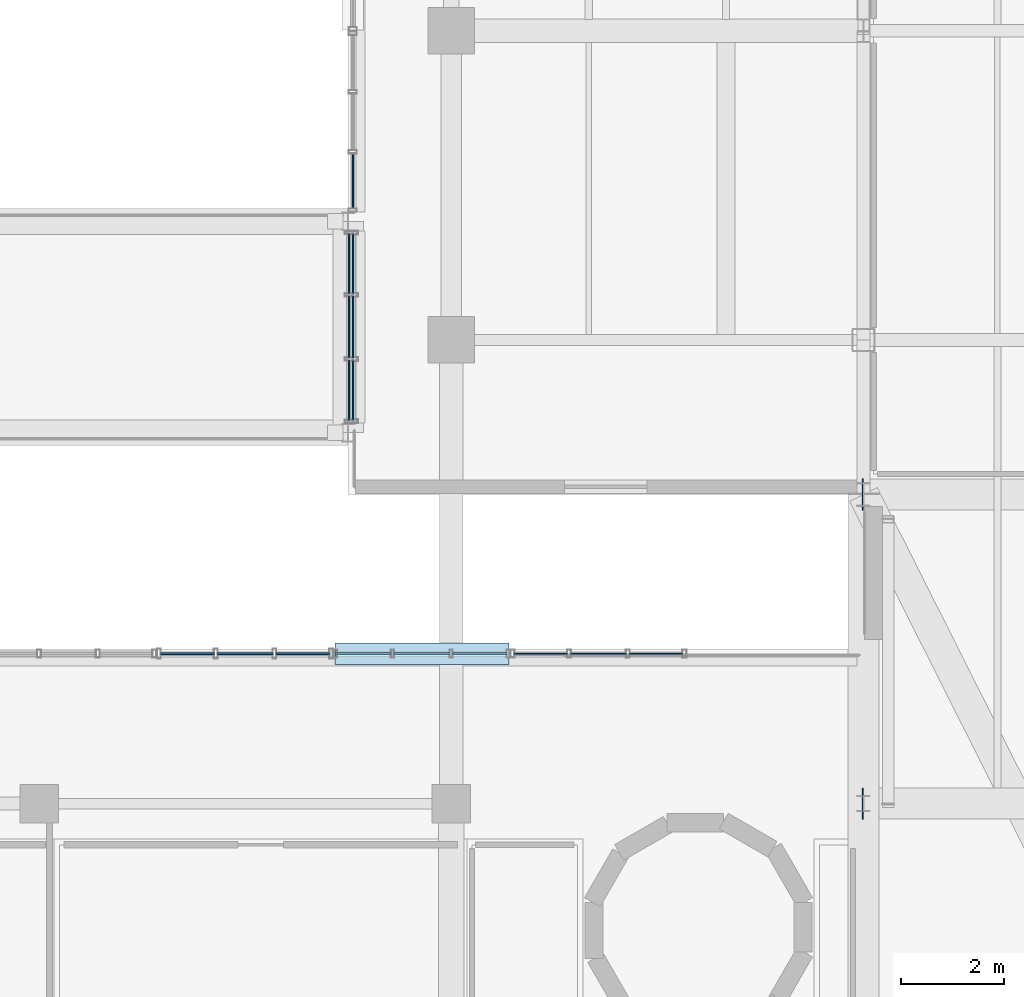
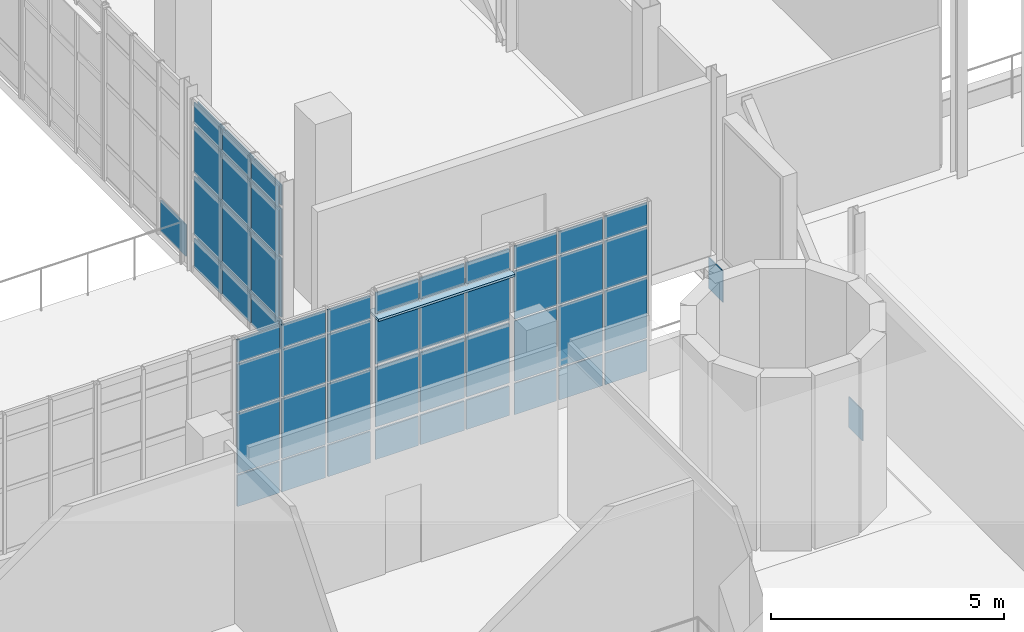
# One storey, part 63 of 100: 64 plates, 6 elements without a shape of their own.
"""IFC4 building model written with IfcOpenShell, lengths in metres."""

from ifc_helpers import new_model, si_unit, derived_unit, direction, frame, origin, origin_2d, place, context, subcontext, project, spatial, rectangle, extrude, material, layer, layer_set, type_object, element, aggregate, save


model = new_model("IFC4")

# Units and contexts
model_context = context("Model", 3, precision=1e-05, world=origin(), true_north=direction((0.0, 1.0)))
body_context = subcontext(model_context, "Body", "Model", "MODEL_VIEW")
ifc_project = project(units=[si_unit("LENGTHUNIT", "METRE"), si_unit("AREAUNIT", "SQUARE_METRE"), si_unit("VOLUMEUNIT", "CUBIC_METRE"), si_unit("PLANEANGLEUNIT", "RADIAN"), si_unit("MASSUNIT", "GRAM", prefix="KILO"), derived_unit("THERMALTRANSMITTANCEUNIT", [(si_unit("POWERUNIT", "WATT"), 1), (si_unit("LENGTHUNIT", "METRE"), -2), (si_unit("THERMODYNAMICTEMPERATUREUNIT", "KELVIN"), -1)])], contexts=[model_context])

# Site, building, storey
site_placement = place(None, origin())
site = spatial("IfcSite", under=ifc_project, at=site_placement, CompositionType="ELEMENT")
building_placement = place(site_placement, origin())
building = spatial("IfcBuilding", under=site, at=building_placement, Name="Nallur Shell Playhouse", CompositionType="ELEMENT")
storey_placement = place(building_placement, frame((0.0, 0.0, 10.199951171875)))
storey = spatial("IfcBuildingStorey", under=building, at=storey_placement, Name="L03", CompositionType="ELEMENT", Elevation=10.199951171875)

# Plates
ifc_material_1 = material(Name="Steel E350", Category="steel")
ifc_layer_1 = layer(ifc_material_1, 0.02001953125)
ifc_layer_set_1 = layer_set([ifc_layer_1], Name="Steel E350")
plate_type_1 = type_object("IfcPlateType", Name="PT-ENDCAP-20", PredefinedType="SHEET", material=ifc_layer_set_1)
plate_1_placement = place(storey_placement, frame((63.989990234375, 41.0, -1.06005859375), z_axis=(0.0, 0.0, 1.0), x_axis=(1.0, 0.0, 0.0)))
element("IfcPlate", 1, at=plate_1_placement, inside=storey, type_object=plate_type_1, Name="Hollow end cap EC-TT-2-TC0", PredefinedType="SHEET", context=body_context, shape_type="SweptSolid", body=[
    extrude(rectangle(XDim=0.02001953125, YDim=0.60009765625, at=origin_2d()), origin(), (0.0, 0.0, 1.0), 0.800048828125),
])
plate_2_placement = place(storey_placement, frame((63.989990234375, 47.0, -1.06982421875), z_axis=(0.0, 0.0, 1.0), x_axis=(1.0, 0.0, 0.0)))
element("IfcPlate", 2, at=plate_2_placement, inside=storey, type_object=plate_type_1, Name="Hollow end cap EC-GB-L03-NA", PredefinedType="SHEET", context=body_context, shape_type="SweptSolid", body=[
    extrude(rectangle(XDim=0.02001953125, YDim=0.6201171875, at=origin_2d()), origin(), (0.0, 0.0, 1.0), 0.820068359375),
])

# Curtain wall, plates
ifc_material_2 = material(Name="Anodised Aluminium Double-Glazed Facade System", Category="aluminium")
ifc_layer_2 = layer(ifc_material_2, 0.1640625)
ifc_layer_set_2 = layer_set([ifc_layer_2], Name="Anodised Aluminium Double-Glazed Facade System")
curtain_wall_type_1 = type_object("IfcCurtainWallType", Name="CW-UNIT-01", PredefinedType="NOTDEFINED", material=ifc_layer_set_2)
curtain_wall_1_placement = place(storey_placement, origin())
curtain_wall_1 = element("IfcCurtainWall", 3, at=curtain_wall_1_placement, inside=storey, type_object=curtain_wall_type_1, Name="Unitised curtain wall CW-065 (L03)", PredefinedType="NOTDEFINED")
ifc_material_3 = material(Name="Solar-Control Low-E Laminated Insulating Glass", Category="glass")
ifc_layer_3 = layer(ifc_material_3, 0.02587890625)
ifc_layer_set_3 = layer_set([ifc_layer_3], Name="Solar-Control Low-E Laminated Insulating Glass")
plate_type_2 = type_object("IfcPlateType", Name="PT-GLZ-01", PredefinedType="CURTAIN_PANEL", material=ifc_layer_set_3)
plate_3_placement = place(storey_placement, frame((57.737548828125, 43.909912109375, 0.05712890625), z_axis=(0.0, 0.0, 1.0), x_axis=(1.0, 0.0, 0.0)))
plate_3 = element("IfcPlate", 4, at=plate_3_placement, type_object=plate_type_2, Name="CW-01 panel 1.1", PredefinedType="CURTAIN_PANEL", context=body_context, shape_type="SweptSolid", body=[
    extrude(rectangle(XDim=1.035400390625, YDim=0.02587890625, at=origin_2d()), origin(), (0.0, 0.0, 1.0), 0.818603515625),
])
plate_4_placement = place(storey_placement, frame((57.737548828125, 43.909912109375, 0.924560546875), z_axis=(0.0, 0.0, 1.0), x_axis=(1.0, 0.0, 0.0)))
plate_4 = element("IfcPlate", 5, at=plate_4_placement, type_object=plate_type_2, Name="CW-01 panel 1.2", PredefinedType="CURTAIN_PANEL", context=body_context, shape_type="SweptSolid", body=[
    extrude(rectangle(XDim=1.035400390625, YDim=0.02587890625, at=origin_2d()), origin(), (0.0, 0.0, 1.0), 1.58203125),
])
plate_5_placement = place(storey_placement, frame((57.737548828125, 43.909912109375, 2.5556640625), z_axis=(0.0, 0.0, 1.0), x_axis=(1.0, 0.0, 0.0)))
plate_5 = element("IfcPlate", 6, at=plate_5_placement, type_object=plate_type_2, Name="CW-01 panel 1.3", PredefinedType="CURTAIN_PANEL", context=body_context, shape_type="SweptSolid", body=[
    extrude(rectangle(XDim=1.035400390625, YDim=0.02587890625, at=origin_2d()), origin(), (0.0, 0.0, 1.0), 1.260009765625),
])
plate_6_placement = place(storey_placement, frame((57.737548828125, 43.909912109375, 3.86474609375), z_axis=(0.0, 0.0, 1.0), x_axis=(1.0, 0.0, 0.0)))
plate_6 = element("IfcPlate", 7, at=plate_6_placement, type_object=plate_type_2, Name="CW-01 panel 1.4", PredefinedType="CURTAIN_PANEL", context=body_context, shape_type="SweptSolid", body=[
    extrude(rectangle(XDim=1.035400390625, YDim=0.02587890625, at=origin_2d()), origin(), (0.0, 0.0, 1.0), 0.598388671875),
])
plate_7_placement = place(storey_placement, frame((58.857177734375, 43.909912109375, 0.05712890625), z_axis=(0.0, 0.0, 1.0), x_axis=(1.0, 0.0, 0.0)))
plate_7 = element("IfcPlate", 8, at=plate_7_placement, type_object=plate_type_2, Name="CW-01 panel 2.1", PredefinedType="CURTAIN_PANEL", context=body_context, shape_type="SweptSolid", body=[
    extrude(rectangle(XDim=1.075439453125, YDim=0.02587890625, at=origin_2d()), origin(), (0.0, 0.0, 1.0), 0.818603515625),
])
plate_8_placement = place(storey_placement, frame((58.857177734375, 43.909912109375, 0.924560546875), z_axis=(0.0, 0.0, 1.0), x_axis=(1.0, 0.0, 0.0)))
plate_8 = element("IfcPlate", 9, at=plate_8_placement, type_object=plate_type_2, Name="CW-01 panel 2.2", PredefinedType="CURTAIN_PANEL", context=body_context, shape_type="SweptSolid", body=[
    extrude(rectangle(XDim=1.075439453125, YDim=0.02587890625, at=origin_2d()), origin(), (0.0, 0.0, 1.0), 1.58203125),
])
plate_9_placement = place(storey_placement, frame((58.857177734375, 43.909912109375, 2.5556640625), z_axis=(0.0, 0.0, 1.0), x_axis=(1.0, 0.0, 0.0)))
plate_9 = element("IfcPlate", 10, at=plate_9_placement, type_object=plate_type_2, Name="CW-01 panel 2.3", PredefinedType="CURTAIN_PANEL", context=body_context, shape_type="SweptSolid", body=[
    extrude(rectangle(XDim=1.075439453125, YDim=0.02587890625, at=origin_2d()), origin(), (0.0, 0.0, 1.0), 1.260009765625),
])
plate_10_placement = place(storey_placement, frame((58.857177734375, 43.909912109375, 3.86474609375), z_axis=(0.0, 0.0, 1.0), x_axis=(1.0, 0.0, 0.0)))
plate_10 = element("IfcPlate", 11, at=plate_10_placement, type_object=plate_type_2, Name="CW-01 panel 2.4", PredefinedType="CURTAIN_PANEL", context=body_context, shape_type="SweptSolid", body=[
    extrude(rectangle(XDim=1.075439453125, YDim=0.02587890625, at=origin_2d()), origin(), (0.0, 0.0, 1.0), 0.598388671875),
])
plate_11_placement = place(storey_placement, frame((59.9765625, 43.909912109375, 0.05712890625), z_axis=(0.0, 0.0, 1.0), x_axis=(1.0, 0.0, 0.0)))
plate_11 = element("IfcPlate", 12, at=plate_11_placement, type_object=plate_type_2, Name="CW-01 panel 3.1", PredefinedType="CURTAIN_PANEL", context=body_context, shape_type="SweptSolid", body=[
    extrude(rectangle(XDim=1.035400390625, YDim=0.02587890625, at=origin_2d()), origin(), (0.0, 0.0, 1.0), 0.818603515625),
])
plate_12_placement = place(storey_placement, frame((59.9765625, 43.909912109375, 0.924560546875), z_axis=(0.0, 0.0, 1.0), x_axis=(1.0, 0.0, 0.0)))
plate_12 = element("IfcPlate", 13, at=plate_12_placement, type_object=plate_type_2, Name="CW-01 panel 3.2", PredefinedType="CURTAIN_PANEL", context=body_context, shape_type="SweptSolid", body=[
    extrude(rectangle(XDim=1.035400390625, YDim=0.02587890625, at=origin_2d()), origin(), (0.0, 0.0, 1.0), 1.58203125),
])
plate_13_placement = place(storey_placement, frame((59.9765625, 43.909912109375, 2.5556640625), z_axis=(0.0, 0.0, 1.0), x_axis=(1.0, 0.0, 0.0)))
plate_13 = element("IfcPlate", 14, at=plate_13_placement, type_object=plate_type_2, Name="CW-01 panel 3.3", PredefinedType="CURTAIN_PANEL", context=body_context, shape_type="SweptSolid", body=[
    extrude(rectangle(XDim=1.035400390625, YDim=0.02587890625, at=origin_2d()), origin(), (0.0, 0.0, 1.0), 1.260009765625),
])
plate_14_placement = place(storey_placement, frame((59.9765625, 43.909912109375, 3.86474609375), z_axis=(0.0, 0.0, 1.0), x_axis=(1.0, 0.0, 0.0)))
plate_14 = element("IfcPlate", 15, at=plate_14_placement, type_object=plate_type_2, Name="CW-01 panel 3.4", PredefinedType="CURTAIN_PANEL", context=body_context, shape_type="SweptSolid", body=[
    extrude(rectangle(XDim=1.035400390625, YDim=0.02587890625, at=origin_2d()), origin(), (0.0, 0.0, 1.0), 0.598388671875),
])
aggregate(curtain_wall_1, [plate_3, plate_4, plate_5, plate_6, plate_7, plate_8, plate_9, plate_10, plate_11, plate_12, plate_13, plate_14])

ifc_layer_4 = layer(ifc_material_2, 0.16796875)
ifc_layer_set_4 = layer_set([ifc_layer_4], Name="Anodised Aluminium Double-Glazed Facade System")
curtain_wall_type_2 = type_object("IfcCurtainWallType", Name="CW-UNIT-26", PredefinedType="NOTDEFINED", material=ifc_layer_set_4)
curtain_wall_2_placement = place(storey_placement, origin())
curtain_wall_2 = element("IfcCurtainWall", 16, at=curtain_wall_2_placement, inside=storey, type_object=curtain_wall_type_2, Name="Unitised curtain wall CW-058 (L03)", PredefinedType="NOTDEFINED")
ifc_layer_5 = layer(ifc_material_3, 0.028076171875)
ifc_layer_set_5 = layer_set([ifc_layer_5], Name="Solar-Control Low-E Laminated Insulating Glass")
plate_type_3 = type_object("IfcPlateType", Name="PT-GLZ-02", PredefinedType="CURTAIN_PANEL", material=ifc_layer_set_5)
plate_15_placement = place(storey_placement, frame((54.014892578125, 51.478515625, 0.092041015625), z_axis=(0.0, 0.0, 1.0), x_axis=(0.0, -1.0, 0.0)))
plate_15 = element("IfcPlate", 17, at=plate_15_placement, type_object=plate_type_3, Name="CW-26 panel 1.1", PredefinedType="CURTAIN_PANEL", context=body_context, shape_type="SweptSolid", body=[
    extrude(rectangle(XDim=1.1630859375, YDim=0.028076171875, at=origin_2d()), origin(), (0.0, 0.0, 1.0), 0.76611328125),
])
plate_16_placement = place(storey_placement, frame((54.014892578125, 51.478515625, 0.94189453125), z_axis=(0.0, 0.0, 1.0), x_axis=(0.0, -1.0, 0.0)))
plate_16 = element("IfcPlate", 18, at=plate_16_placement, type_object=plate_type_3, Name="CW-26 panel 1.2", PredefinedType="CURTAIN_PANEL", context=body_context, shape_type="SweptSolid", body=[
    extrude(rectangle(XDim=1.1630859375, YDim=0.028076171875, at=origin_2d()), origin(), (0.0, 0.0, 1.0), 1.535888671875),
])
plate_17_placement = place(storey_placement, frame((54.014892578125, 51.478515625, 2.56201171875), z_axis=(0.0, 0.0, 1.0), x_axis=(0.0, -1.0, 0.0)))
plate_17 = element("IfcPlate", 19, at=plate_17_placement, type_object=plate_type_3, Name="CW-26 panel 1.3", PredefinedType="CURTAIN_PANEL", context=body_context, shape_type="SweptSolid", body=[
    extrude(rectangle(XDim=1.1630859375, YDim=0.028076171875, at=origin_2d()), origin(), (0.0, 0.0, 1.0), 1.216064453125),
])
plate_18_placement = place(storey_placement, frame((54.014892578125, 51.478515625, 3.862060546875), z_axis=(0.0, 0.0, 1.0), x_axis=(0.0, -1.0, 0.0)))
plate_18 = element("IfcPlate", 20, at=plate_18_placement, type_object=plate_type_3, Name="CW-26 panel 1.4", PredefinedType="CURTAIN_PANEL", context=body_context, shape_type="SweptSolid", body=[
    extrude(rectangle(XDim=1.1630859375, YDim=0.028076171875, at=origin_2d()), origin(), (0.0, 0.0, 1.0), 0.5458984375),
])
plate_19_placement = place(storey_placement, frame((54.014892578125, 50.25, 0.092041015625), z_axis=(0.0, 0.0, 1.0), x_axis=(0.0, -1.0, 0.0)))
plate_19 = element("IfcPlate", 21, at=plate_19_placement, type_object=plate_type_3, Name="CW-26 panel 2.1", PredefinedType="CURTAIN_PANEL", context=body_context, shape_type="SweptSolid", body=[
    extrude(rectangle(XDim=1.195556640625, YDim=0.028076171875, at=origin_2d()), origin(), (0.0, 0.0, 1.0), 0.76611328125),
])
plate_20_placement = place(storey_placement, frame((54.014892578125, 50.25, 0.94189453125), z_axis=(0.0, 0.0, 1.0), x_axis=(0.0, -1.0, 0.0)))
plate_20 = element("IfcPlate", 22, at=plate_20_placement, type_object=plate_type_3, Name="CW-26 panel 2.2", PredefinedType="CURTAIN_PANEL", context=body_context, shape_type="SweptSolid", body=[
    extrude(rectangle(XDim=1.195556640625, YDim=0.028076171875, at=origin_2d()), origin(), (0.0, 0.0, 1.0), 1.535888671875),
])
plate_21_placement = place(storey_placement, frame((54.014892578125, 50.25, 2.56201171875), z_axis=(0.0, 0.0, 1.0), x_axis=(0.0, -1.0, 0.0)))
plate_21 = element("IfcPlate", 23, at=plate_21_placement, type_object=plate_type_3, Name="CW-26 panel 2.3", PredefinedType="CURTAIN_PANEL", context=body_context, shape_type="SweptSolid", body=[
    extrude(rectangle(XDim=1.195556640625, YDim=0.028076171875, at=origin_2d()), origin(), (0.0, 0.0, 1.0), 1.216064453125),
])
plate_22_placement = place(storey_placement, frame((54.014892578125, 50.25, 3.862060546875), z_axis=(0.0, 0.0, 1.0), x_axis=(0.0, -1.0, 0.0)))
plate_22 = element("IfcPlate", 24, at=plate_22_placement, type_object=plate_type_3, Name="CW-26 panel 2.4", PredefinedType="CURTAIN_PANEL", context=body_context, shape_type="SweptSolid", body=[
    extrude(rectangle(XDim=1.195556640625, YDim=0.028076171875, at=origin_2d()), origin(), (0.0, 0.0, 1.0), 0.5458984375),
])
plate_23_placement = place(storey_placement, frame((54.014892578125, 49.021484375, 0.092041015625), z_axis=(0.0, 0.0, 1.0), x_axis=(0.0, -1.0, 0.0)))
plate_23 = element("IfcPlate", 25, at=plate_23_placement, type_object=plate_type_3, Name="CW-26 panel 3.1", PredefinedType="CURTAIN_PANEL", context=body_context, shape_type="SweptSolid", body=[
    extrude(rectangle(XDim=1.1630859375, YDim=0.028076171875, at=origin_2d()), origin(), (0.0, 0.0, 1.0), 0.76611328125),
])
plate_24_placement = place(storey_placement, frame((54.014892578125, 49.021484375, 0.94189453125), z_axis=(0.0, 0.0, 1.0), x_axis=(0.0, -1.0, 0.0)))
plate_24 = element("IfcPlate", 26, at=plate_24_placement, type_object=plate_type_3, Name="CW-26 panel 3.2", PredefinedType="CURTAIN_PANEL", context=body_context, shape_type="SweptSolid", body=[
    extrude(rectangle(XDim=1.1630859375, YDim=0.028076171875, at=origin_2d()), origin(), (0.0, 0.0, 1.0), 1.535888671875),
])
plate_25_placement = place(storey_placement, frame((54.014892578125, 49.021484375, 2.56201171875), z_axis=(0.0, 0.0, 1.0), x_axis=(0.0, -1.0, 0.0)))
plate_25 = element("IfcPlate", 27, at=plate_25_placement, type_object=plate_type_3, Name="CW-26 panel 3.3", PredefinedType="CURTAIN_PANEL", context=body_context, shape_type="SweptSolid", body=[
    extrude(rectangle(XDim=1.1630859375, YDim=0.028076171875, at=origin_2d()), origin(), (0.0, 0.0, 1.0), 1.216064453125),
])
plate_26_placement = place(storey_placement, frame((54.014892578125, 49.021484375, 3.862060546875), z_axis=(0.0, 0.0, 1.0), x_axis=(0.0, -1.0, 0.0)))
plate_26 = element("IfcPlate", 28, at=plate_26_placement, type_object=plate_type_3, Name="CW-26 panel 3.4", PredefinedType="CURTAIN_PANEL", context=body_context, shape_type="SweptSolid", body=[
    extrude(rectangle(XDim=1.1630859375, YDim=0.028076171875, at=origin_2d()), origin(), (0.0, 0.0, 1.0), 0.5458984375),
])
aggregate(curtain_wall_2, [plate_15, plate_16, plate_17, plate_18, plate_19, plate_20, plate_21, plate_22, plate_23, plate_24, plate_25, plate_26])

ifc_layer_6 = layer(ifc_material_2, 0.16796875)
ifc_layer_set_6 = layer_set([ifc_layer_6], Name="Anodised Aluminium Double-Glazed Facade System")
curtain_wall_type_3 = type_object("IfcCurtainWallType", Name="CW-UNIT-02", PredefinedType="NOTDEFINED", material=ifc_layer_set_6)
curtain_wall_3_placement = place(storey_placement, origin())
curtain_wall_3 = element("IfcCurtainWall", 29, at=curtain_wall_3_placement, inside=storey, type_object=curtain_wall_type_3, Name="Unitised curtain wall CW-066 (L03)", PredefinedType="NOTDEFINED")
plate_27_placement = place(storey_placement, frame((54.090087890625, 49.024169921875, 0.092041015625), z_axis=(0.0, 0.0, 1.0), x_axis=(0.0, 1.0, 0.0)))
plate_27 = element("IfcPlate", 30, at=plate_27_placement, type_object=plate_type_3, Name="CW-02 panel 1.1", PredefinedType="CURTAIN_PANEL", context=body_context, shape_type="SweptSolid", body=[
    extrude(rectangle(XDim=1.148193359375, YDim=0.028076171875, at=origin_2d()), origin(), (0.0, 0.0, 1.0), 0.76611328125),
])
plate_28_placement = place(storey_placement, frame((54.090087890625, 49.024169921875, 0.94189453125), z_axis=(0.0, 0.0, 1.0), x_axis=(0.0, 1.0, 0.0)))
plate_28 = element("IfcPlate", 31, at=plate_28_placement, type_object=plate_type_3, Name="CW-02 panel 1.2", PredefinedType="CURTAIN_PANEL", context=body_context, shape_type="SweptSolid", body=[
    extrude(rectangle(XDim=1.148193359375, YDim=0.028076171875, at=origin_2d()), origin(), (0.0, 0.0, 1.0), 1.535888671875),
])
plate_29_placement = place(storey_placement, frame((54.090087890625, 49.024169921875, 2.56201171875), z_axis=(0.0, 0.0, 1.0), x_axis=(0.0, 1.0, 0.0)))
plate_29 = element("IfcPlate", 32, at=plate_29_placement, type_object=plate_type_3, Name="CW-02 panel 1.3", PredefinedType="CURTAIN_PANEL", context=body_context, shape_type="SweptSolid", body=[
    extrude(rectangle(XDim=1.148193359375, YDim=0.028076171875, at=origin_2d()), origin(), (0.0, 0.0, 1.0), 1.216064453125),
])
plate_30_placement = place(storey_placement, frame((54.090087890625, 49.024169921875, 3.862060546875), z_axis=(0.0, 0.0, 1.0), x_axis=(0.0, 1.0, 0.0)))
plate_30 = element("IfcPlate", 33, at=plate_30_placement, type_object=plate_type_3, Name="CW-02 panel 1.4", PredefinedType="CURTAIN_PANEL", context=body_context, shape_type="SweptSolid", body=[
    extrude(rectangle(XDim=1.148193359375, YDim=0.028076171875, at=origin_2d()), origin(), (0.0, 0.0, 1.0), 0.5458984375),
])
plate_31_placement = place(storey_placement, frame((54.090087890625, 50.25, 0.092041015625), z_axis=(0.0, 0.0, 1.0), x_axis=(0.0, 1.0, 0.0)))
plate_31 = element("IfcPlate", 34, at=plate_31_placement, type_object=plate_type_3, Name="CW-02 panel 2.1", PredefinedType="CURTAIN_PANEL", context=body_context, shape_type="SweptSolid", body=[
    extrude(rectangle(XDim=1.185546875, YDim=0.028076171875, at=origin_2d()), origin(), (0.0, 0.0, 1.0), 0.76611328125),
])
plate_32_placement = place(storey_placement, frame((54.090087890625, 50.25, 0.94189453125), z_axis=(0.0, 0.0, 1.0), x_axis=(0.0, 1.0, 0.0)))
plate_32 = element("IfcPlate", 35, at=plate_32_placement, type_object=plate_type_3, Name="CW-02 panel 2.2", PredefinedType="CURTAIN_PANEL", context=body_context, shape_type="SweptSolid", body=[
    extrude(rectangle(XDim=1.185546875, YDim=0.028076171875, at=origin_2d()), origin(), (0.0, 0.0, 1.0), 1.535888671875),
])
plate_33_placement = place(storey_placement, frame((54.090087890625, 50.25, 2.56201171875), z_axis=(0.0, 0.0, 1.0), x_axis=(0.0, 1.0, 0.0)))
plate_33 = element("IfcPlate", 36, at=plate_33_placement, type_object=plate_type_3, Name="CW-02 panel 2.3", PredefinedType="CURTAIN_PANEL", context=body_context, shape_type="SweptSolid", body=[
    extrude(rectangle(XDim=1.185546875, YDim=0.028076171875, at=origin_2d()), origin(), (0.0, 0.0, 1.0), 1.216064453125),
])
plate_34_placement = place(storey_placement, frame((54.090087890625, 50.25, 3.862060546875), z_axis=(0.0, 0.0, 1.0), x_axis=(0.0, 1.0, 0.0)))
plate_34 = element("IfcPlate", 37, at=plate_34_placement, type_object=plate_type_3, Name="CW-02 panel 2.4", PredefinedType="CURTAIN_PANEL", context=body_context, shape_type="SweptSolid", body=[
    extrude(rectangle(XDim=1.185546875, YDim=0.028076171875, at=origin_2d()), origin(), (0.0, 0.0, 1.0), 0.5458984375),
])
plate_35_placement = place(storey_placement, frame((54.090087890625, 51.475830078125, 0.092041015625), z_axis=(0.0, 0.0, 1.0), x_axis=(0.0, 1.0, 0.0)))
plate_35 = element("IfcPlate", 38, at=plate_35_placement, type_object=plate_type_3, Name="CW-02 panel 3.1", PredefinedType="CURTAIN_PANEL", context=body_context, shape_type="SweptSolid", body=[
    extrude(rectangle(XDim=1.148193359375, YDim=0.028076171875, at=origin_2d()), origin(), (0.0, 0.0, 1.0), 0.76611328125),
])
plate_36_placement = place(storey_placement, frame((54.090087890625, 51.475830078125, 0.94189453125), z_axis=(0.0, 0.0, 1.0), x_axis=(0.0, 1.0, 0.0)))
plate_36 = element("IfcPlate", 39, at=plate_36_placement, type_object=plate_type_3, Name="CW-02 panel 3.2", PredefinedType="CURTAIN_PANEL", context=body_context, shape_type="SweptSolid", body=[
    extrude(rectangle(XDim=1.148193359375, YDim=0.028076171875, at=origin_2d()), origin(), (0.0, 0.0, 1.0), 1.535888671875),
])
plate_37_placement = place(storey_placement, frame((54.090087890625, 51.475830078125, 2.56201171875), z_axis=(0.0, 0.0, 1.0), x_axis=(0.0, 1.0, 0.0)))
plate_37 = element("IfcPlate", 40, at=plate_37_placement, type_object=plate_type_3, Name="CW-02 panel 3.3", PredefinedType="CURTAIN_PANEL", context=body_context, shape_type="SweptSolid", body=[
    extrude(rectangle(XDim=1.148193359375, YDim=0.028076171875, at=origin_2d()), origin(), (0.0, 0.0, 1.0), 1.216064453125),
])
plate_38_placement = place(storey_placement, frame((54.090087890625, 51.475830078125, 3.862060546875), z_axis=(0.0, 0.0, 1.0), x_axis=(0.0, 1.0, 0.0)))
plate_38 = element("IfcPlate", 41, at=plate_38_placement, type_object=plate_type_3, Name="CW-02 panel 3.4", PredefinedType="CURTAIN_PANEL", context=body_context, shape_type="SweptSolid", body=[
    extrude(rectangle(XDim=1.148193359375, YDim=0.028076171875, at=origin_2d()), origin(), (0.0, 0.0, 1.0), 0.5458984375),
])
aggregate(curtain_wall_3, [plate_27, plate_28, plate_29, plate_30, plate_31, plate_32, plate_33, plate_34, plate_35, plate_36, plate_37, plate_38])

# Curtain wall, plate
ifc_layer_7 = layer(ifc_material_2, 0.172119140625)
ifc_layer_set_7 = layer_set([ifc_layer_7], Name="Anodised Aluminium Double-Glazed Facade System")
curtain_wall_type_4 = type_object("IfcCurtainWallType", Name="CW-UNIT-03", PredefinedType="NOTDEFINED", material=ifc_layer_set_7)
curtain_wall_4_placement = place(storey_placement, origin())
curtain_wall_4 = element("IfcCurtainWall", 42, at=curtain_wall_4_placement, inside=storey, type_object=curtain_wall_type_4, Name="Unitised curtain wall CW-067 (L03)", PredefinedType="NOTDEFINED")
ifc_layer_8 = layer(ifc_material_3, 0.030029296875)
ifc_layer_set_8 = layer_set([ifc_layer_8], Name="Solar-Control Low-E Laminated Insulating Glass")
plate_type_4 = type_object("IfcPlateType", Name="PT-GLZ-03", PredefinedType="CURTAIN_PANEL", material=ifc_layer_set_8)
plate_39_placement = place(storey_placement, frame((54.090087890625, 53.082275390625, 0.05712890625), z_axis=(0.0, 0.0, 1.0), x_axis=(0.0, 1.0, 0.0)))
plate_39 = element("IfcPlate", 43, at=plate_39_placement, type_object=plate_type_4, Name="CW-03 panel 1.1", PredefinedType="CURTAIN_PANEL", context=body_context, shape_type="SweptSolid", body=[
    extrude(rectangle(XDim=1.084716796875, YDim=0.030029296875, at=origin_2d()), origin(), (0.0, 0.0, 1.0), 0.818603515625),
])
aggregate(curtain_wall_4, [plate_39])

# Curtain wall, plates
ifc_layer_9 = layer(ifc_material_2, 0.1640625)
ifc_layer_set_9 = layer_set([ifc_layer_9], Name="Anodised Aluminium Double-Glazed Facade System")
curtain_wall_type_5 = type_object("IfcCurtainWallType", Name="CW-UNIT-31", PredefinedType="NOTDEFINED", material=ifc_layer_set_9)
curtain_wall_5_placement = place(storey_placement, origin())
curtain_wall_5 = element("IfcCurtainWall", 44, at=curtain_wall_5_placement, inside=storey, type_object=curtain_wall_type_5, Name="Unitised curtain wall CW-063 (L03)", PredefinedType="NOTDEFINED")
ifc_layer_10 = layer(ifc_material_3, 0.0380859375)
ifc_layer_set_10 = layer_set([ifc_layer_10], Name="Solar-Control Low-E Laminated Insulating Glass")
plate_type_5 = type_object("IfcPlateType", Name="PT-GLZ-07", PredefinedType="CURTAIN_PANEL", material=ifc_layer_set_10)
plate_40_placement = place(storey_placement, frame((50.879150390625, 43.909912109375, 0.05712890625), z_axis=(0.0, 0.0, 1.0), x_axis=(1.0, 0.0, 0.0)))
plate_40 = element("IfcPlate", 45, at=plate_40_placement, type_object=plate_type_5, Name="CW-31 panel 1.1", PredefinedType="CURTAIN_PANEL", context=body_context, shape_type="SweptSolid", body=[
    extrude(rectangle(XDim=1.04296875, YDim=0.0380859375, at=origin_2d()), origin(), (0.0, 0.0, 1.0), 0.818603515625),
])
plate_41_placement = place(storey_placement, frame((50.879150390625, 43.909912109375, 0.924560546875), z_axis=(0.0, 0.0, 1.0), x_axis=(1.0, 0.0, 0.0)))
plate_41 = element("IfcPlate", 46, at=plate_41_placement, type_object=plate_type_5, Name="CW-31 panel 1.2", PredefinedType="CURTAIN_PANEL", context=body_context, shape_type="SweptSolid", body=[
    extrude(rectangle(XDim=1.04296875, YDim=0.0380859375, at=origin_2d()), origin(), (0.0, 0.0, 1.0), 1.56005859375),
])
plate_42_placement = place(storey_placement, frame((50.879150390625, 43.909912109375, 2.53369140625), z_axis=(0.0, 0.0, 1.0), x_axis=(1.0, 0.0, 0.0)))
plate_42 = element("IfcPlate", 47, at=plate_42_placement, type_object=plate_type_5, Name="CW-31 panel 1.3", PredefinedType="CURTAIN_PANEL", context=body_context, shape_type="SweptSolid", body=[
    extrude(rectangle(XDim=1.04296875, YDim=0.0380859375, at=origin_2d()), origin(), (0.0, 0.0, 1.0), 1.241943359375),
])
plate_43_placement = place(storey_placement, frame((50.879150390625, 43.909912109375, 3.82470703125), z_axis=(0.0, 0.0, 1.0), x_axis=(1.0, 0.0, 0.0)))
plate_43 = element("IfcPlate", 48, at=plate_43_placement, type_object=plate_type_5, Name="CW-31 panel 1.4", PredefinedType="CURTAIN_PANEL", context=body_context, shape_type="SweptSolid", body=[
    extrude(rectangle(XDim=1.04296875, YDim=0.0380859375, at=origin_2d()), origin(), (0.0, 0.0, 1.0), 0.598388671875),
])
plate_44_placement = place(storey_placement, frame((52.0, 43.909912109375, 0.05712890625), z_axis=(0.0, 0.0, 1.0), x_axis=(1.0, 0.0, 0.0)))
plate_44 = element("IfcPlate", 49, at=plate_44_placement, type_object=plate_type_5, Name="CW-31 panel 2.1", PredefinedType="CURTAIN_PANEL", context=body_context, shape_type="SweptSolid", body=[
    extrude(rectangle(XDim=1.08056640625, YDim=0.0380859375, at=origin_2d()), origin(), (0.0, 0.0, 1.0), 0.818603515625),
])
plate_45_placement = place(storey_placement, frame((52.0, 43.909912109375, 0.924560546875), z_axis=(0.0, 0.0, 1.0), x_axis=(1.0, 0.0, 0.0)))
plate_45 = element("IfcPlate", 50, at=plate_45_placement, type_object=plate_type_5, Name="CW-31 panel 2.2", PredefinedType="CURTAIN_PANEL", context=body_context, shape_type="SweptSolid", body=[
    extrude(rectangle(XDim=1.08056640625, YDim=0.0380859375, at=origin_2d()), origin(), (0.0, 0.0, 1.0), 1.56005859375),
])
plate_46_placement = place(storey_placement, frame((52.0, 43.909912109375, 2.53369140625), z_axis=(0.0, 0.0, 1.0), x_axis=(1.0, 0.0, 0.0)))
plate_46 = element("IfcPlate", 51, at=plate_46_placement, type_object=plate_type_5, Name="CW-31 panel 2.3", PredefinedType="CURTAIN_PANEL", context=body_context, shape_type="SweptSolid", body=[
    extrude(rectangle(XDim=1.08056640625, YDim=0.0380859375, at=origin_2d()), origin(), (0.0, 0.0, 1.0), 1.241943359375),
])
plate_47_placement = place(storey_placement, frame((52.0, 43.909912109375, 3.82470703125), z_axis=(0.0, 0.0, 1.0), x_axis=(1.0, 0.0, 0.0)))
plate_47 = element("IfcPlate", 52, at=plate_47_placement, type_object=plate_type_5, Name="CW-31 panel 2.4", PredefinedType="CURTAIN_PANEL", context=body_context, shape_type="SweptSolid", body=[
    extrude(rectangle(XDim=1.08056640625, YDim=0.0380859375, at=origin_2d()), origin(), (0.0, 0.0, 1.0), 0.598388671875),
])
plate_48_placement = place(storey_placement, frame((53.120849609375, 43.909912109375, 0.05712890625), z_axis=(0.0, 0.0, 1.0), x_axis=(1.0, 0.0, 0.0)))
plate_48 = element("IfcPlate", 53, at=plate_48_placement, type_object=plate_type_5, Name="CW-31 panel 3.1", PredefinedType="CURTAIN_PANEL", context=body_context, shape_type="SweptSolid", body=[
    extrude(rectangle(XDim=1.04296875, YDim=0.0380859375, at=origin_2d()), origin(), (0.0, 0.0, 1.0), 0.818603515625),
])
plate_49_placement = place(storey_placement, frame((53.120849609375, 43.909912109375, 0.924560546875), z_axis=(0.0, 0.0, 1.0), x_axis=(1.0, 0.0, 0.0)))
plate_49 = element("IfcPlate", 54, at=plate_49_placement, type_object=plate_type_5, Name="CW-31 panel 3.2", PredefinedType="CURTAIN_PANEL", context=body_context, shape_type="SweptSolid", body=[
    extrude(rectangle(XDim=1.04296875, YDim=0.0380859375, at=origin_2d()), origin(), (0.0, 0.0, 1.0), 1.56005859375),
])
plate_50_placement = place(storey_placement, frame((53.120849609375, 43.909912109375, 2.53369140625), z_axis=(0.0, 0.0, 1.0), x_axis=(1.0, 0.0, 0.0)))
plate_50 = element("IfcPlate", 55, at=plate_50_placement, type_object=plate_type_5, Name="CW-31 panel 3.3", PredefinedType="CURTAIN_PANEL", context=body_context, shape_type="SweptSolid", body=[
    extrude(rectangle(XDim=1.04296875, YDim=0.0380859375, at=origin_2d()), origin(), (0.0, 0.0, 1.0), 1.241943359375),
])
plate_51_placement = place(storey_placement, frame((53.120849609375, 43.909912109375, 3.82470703125), z_axis=(0.0, 0.0, 1.0), x_axis=(1.0, 0.0, 0.0)))
plate_51 = element("IfcPlate", 56, at=plate_51_placement, type_object=plate_type_5, Name="CW-31 panel 3.4", PredefinedType="CURTAIN_PANEL", context=body_context, shape_type="SweptSolid", body=[
    extrude(rectangle(XDim=1.04296875, YDim=0.0380859375, at=origin_2d()), origin(), (0.0, 0.0, 1.0), 0.598388671875),
])
aggregate(curtain_wall_5, [plate_40, plate_41, plate_42, plate_43, plate_44, plate_45, plate_46, plate_47, plate_48, plate_49, plate_50, plate_51])

ifc_layer_11 = layer(ifc_material_2, 0.16796875)
ifc_layer_set_11 = layer_set([ifc_layer_11], Name="Anodised Aluminium Double-Glazed Facade System")
curtain_wall_type_6 = type_object("IfcCurtainWallType", Name="CW-UNIT-32", PredefinedType="NOTDEFINED", material=ifc_layer_set_11)
curtain_wall_6_placement = place(storey_placement, origin())
curtain_wall_6 = element("IfcCurtainWall", 57, at=curtain_wall_6_placement, inside=storey, type_object=curtain_wall_type_6, Name="Unitised curtain wall CW-064 (L03)", PredefinedType="NOTDEFINED")
ifc_layer_12 = layer(ifc_material_3, 0.0400390625)
ifc_layer_set_12 = layer_set([ifc_layer_12], Name="Solar-Control Low-E Laminated Insulating Glass")
plate_type_6 = type_object("IfcPlateType", Name="PT-GLZ-08", PredefinedType="CURTAIN_PANEL", material=ifc_layer_set_12)
plate_52_placement = place(storey_placement, frame((54.305419921875, 43.909912109375, 0.092041015625), z_axis=(0.0, 0.0, 1.0), x_axis=(1.0, 0.0, 0.0)))
plate_52 = element("IfcPlate", 58, at=plate_52_placement, type_object=plate_type_6, Name="CW-32 panel 1.1", PredefinedType="CURTAIN_PANEL", context=body_context, shape_type="SweptSolid", body=[
    extrude(rectangle(XDim=1.05810546875, YDim=0.0400390625, at=origin_2d()), origin(), (0.0, 0.0, 1.0), 0.76611328125),
])
plate_53_placement = place(storey_placement, frame((54.305419921875, 43.909912109375, 0.94189453125), z_axis=(0.0, 0.0, 1.0), x_axis=(1.0, 0.0, 0.0)))
plate_53 = element("IfcPlate", 59, at=plate_53_placement, type_object=plate_type_6, Name="CW-32 panel 1.2", PredefinedType="CURTAIN_PANEL", context=body_context, shape_type="SweptSolid", body=[
    extrude(rectangle(XDim=1.05810546875, YDim=0.0400390625, at=origin_2d()), origin(), (0.0, 0.0, 1.0), 1.55810546875),
])
plate_54_placement = place(storey_placement, frame((54.305419921875, 43.909912109375, 2.583984375), z_axis=(0.0, 0.0, 1.0), x_axis=(1.0, 0.0, 0.0)))
plate_54 = element("IfcPlate", 60, at=plate_54_placement, type_object=plate_type_6, Name="CW-32 panel 1.3", PredefinedType="CURTAIN_PANEL", context=body_context, shape_type="SweptSolid", body=[
    extrude(rectangle(XDim=1.05810546875, YDim=0.0400390625, at=origin_2d()), origin(), (0.0, 0.0, 1.0), 1.23388671875),
])
plate_55_placement = place(storey_placement, frame((54.305419921875, 43.909912109375, 3.902099609375), z_axis=(0.0, 0.0, 1.0), x_axis=(1.0, 0.0, 0.0)))
plate_55 = element("IfcPlate", 61, at=plate_55_placement, type_object=plate_type_6, Name="CW-32 panel 1.4", PredefinedType="CURTAIN_PANEL", context=body_context, shape_type="SweptSolid", body=[
    extrude(rectangle(XDim=1.05810546875, YDim=0.0400390625, at=origin_2d()), origin(), (0.0, 0.0, 1.0), 0.5458984375),
])
plate_56_placement = place(storey_placement, frame((55.4287109375, 43.909912109375, 0.092041015625), z_axis=(0.0, 0.0, 1.0), x_axis=(1.0, 0.0, 0.0)))
plate_56 = element("IfcPlate", 62, at=plate_56_placement, type_object=plate_type_6, Name="CW-32 panel 2.1", PredefinedType="CURTAIN_PANEL", context=body_context, shape_type="SweptSolid", body=[
    extrude(rectangle(XDim=1.090576171875, YDim=0.0400390625, at=origin_2d()), origin(), (0.0, 0.0, 1.0), 0.76611328125),
])
plate_57_placement = place(storey_placement, frame((55.4287109375, 43.909912109375, 0.94189453125), z_axis=(0.0, 0.0, 1.0), x_axis=(1.0, 0.0, 0.0)))
plate_57 = element("IfcPlate", 63, at=plate_57_placement, type_object=plate_type_6, Name="CW-32 panel 2.2", PredefinedType="CURTAIN_PANEL", context=body_context, shape_type="SweptSolid", body=[
    extrude(rectangle(XDim=1.090576171875, YDim=0.0400390625, at=origin_2d()), origin(), (0.0, 0.0, 1.0), 1.55810546875),
])
plate_58_placement = place(storey_placement, frame((55.4287109375, 43.909912109375, 2.583984375), z_axis=(0.0, 0.0, 1.0), x_axis=(1.0, 0.0, 0.0)))
plate_58 = element("IfcPlate", 64, at=plate_58_placement, type_object=plate_type_6, Name="CW-32 panel 2.3", PredefinedType="CURTAIN_PANEL", context=body_context, shape_type="SweptSolid", body=[
    extrude(rectangle(XDim=1.090576171875, YDim=0.0400390625, at=origin_2d()), origin(), (0.0, 0.0, 1.0), 1.23388671875),
])
plate_59_placement = place(storey_placement, frame((55.4287109375, 43.909912109375, 3.902099609375), z_axis=(0.0, 0.0, 1.0), x_axis=(1.0, 0.0, 0.0)))
plate_59 = element("IfcPlate", 65, at=plate_59_placement, type_object=plate_type_6, Name="CW-32 panel 2.4", PredefinedType="CURTAIN_PANEL", context=body_context, shape_type="SweptSolid", body=[
    extrude(rectangle(XDim=1.090576171875, YDim=0.0400390625, at=origin_2d()), origin(), (0.0, 0.0, 1.0), 0.5458984375),
])
plate_60_placement = place(storey_placement, frame((56.552001953125, 43.909912109375, 0.092041015625), z_axis=(0.0, 0.0, 1.0), x_axis=(1.0, 0.0, 0.0)))
plate_60 = element("IfcPlate", 66, at=plate_60_placement, type_object=plate_type_6, Name="CW-32 panel 3.1", PredefinedType="CURTAIN_PANEL", context=body_context, shape_type="SweptSolid", body=[
    extrude(rectangle(XDim=1.05810546875, YDim=0.0400390625, at=origin_2d()), origin(), (0.0, 0.0, 1.0), 0.76611328125),
])
plate_61_placement = place(storey_placement, frame((56.552001953125, 43.909912109375, 0.94189453125), z_axis=(0.0, 0.0, 1.0), x_axis=(1.0, 0.0, 0.0)))
plate_61 = element("IfcPlate", 67, at=plate_61_placement, type_object=plate_type_6, Name="CW-32 panel 3.2", PredefinedType="CURTAIN_PANEL", context=body_context, shape_type="SweptSolid", body=[
    extrude(rectangle(XDim=1.05810546875, YDim=0.0400390625, at=origin_2d()), origin(), (0.0, 0.0, 1.0), 1.55810546875),
])
plate_62_placement = place(storey_placement, frame((56.552001953125, 43.909912109375, 2.583984375), z_axis=(0.0, 0.0, 1.0), x_axis=(1.0, 0.0, 0.0)))
plate_62 = element("IfcPlate", 68, at=plate_62_placement, type_object=plate_type_6, Name="CW-32 panel 3.3", PredefinedType="CURTAIN_PANEL", context=body_context, shape_type="SweptSolid", body=[
    extrude(rectangle(XDim=1.05810546875, YDim=0.0400390625, at=origin_2d()), origin(), (0.0, 0.0, 1.0), 1.23388671875),
])
plate_63_placement = place(storey_placement, frame((56.552001953125, 43.909912109375, 3.902099609375), z_axis=(0.0, 0.0, 1.0), x_axis=(1.0, 0.0, 0.0)))
plate_63 = element("IfcPlate", 69, at=plate_63_placement, type_object=plate_type_6, Name="CW-32 panel 3.4", PredefinedType="CURTAIN_PANEL", context=body_context, shape_type="SweptSolid", body=[
    extrude(rectangle(XDim=1.05810546875, YDim=0.0400390625, at=origin_2d()), origin(), (0.0, 0.0, 1.0), 0.5458984375),
])
aggregate(curtain_wall_6, [plate_52, plate_53, plate_54, plate_55, plate_56, plate_57, plate_58, plate_59, plate_60, plate_61, plate_62, plate_63])

# Plate
ifc_material_4 = material(Name="Terracotta & Gold-Anodised Monsoon Sunshade Blade", Category="masonry")
ifc_layer_13 = layer(ifc_material_4, 0.06005859375)
ifc_layer_set_13 = layer_set([ifc_layer_13], Name="Terracotta & Gold-Anodised Monsoon Sunshade Blade")
plate_type_7 = type_object("IfcPlateType", Name="PT-LOUVRE-04", PredefinedType="USERDEFINED", material=ifc_layer_set_13)
plate_64_placement = place(storey_placement, frame((55.4287109375, 43.909912109375, 3.830078125), z_axis=(0.0, 0.0, 1.0), x_axis=(1.0, 0.0, 0.0)))
element("IfcPlate", 70, at=plate_64_placement, inside=storey, type_object=plate_type_7, Name="Monsoon sunshade louvre blade LV-016", ObjectType="SUNSHADE LOUVRE", PredefinedType="USERDEFINED", context=body_context, shape_type="SweptSolid", body=[
    extrude(rectangle(XDim=3.37890625, YDim=0.419921875, at=origin_2d()), origin(), (0.0, 0.0, 1.0), 0.06005859375),
])

save(model, "model.ifc")
